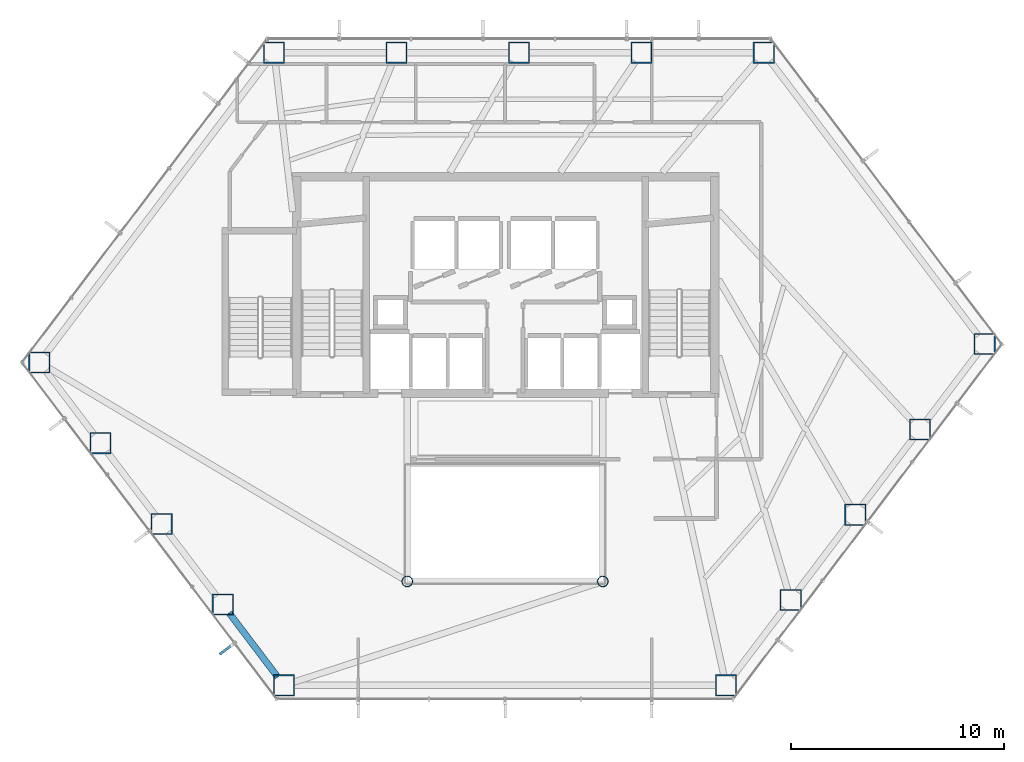
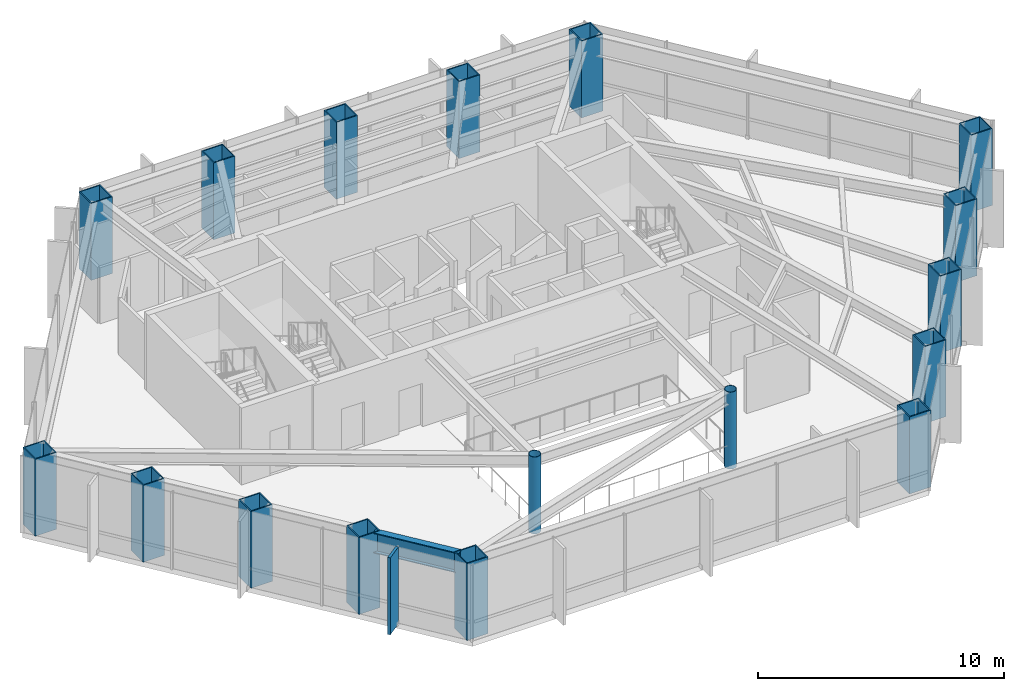
# One storey, part 1 of 25: 17 columns, 1 beam, 1 member, 1 element without a shape of its own.
"""IFC4 building model written with IfcOpenShell, lengths in metres."""

from ifc_helpers import new_model, si_unit, direction, frame, origin, origin_2d, place, context, subcontext, project, spatial, rectangle, hollow_rectangle, hollow_circle, i_section, extrude, material, layer, layer_set, material_profile, profile_set, type_object, element, aggregate, save


model = new_model("IFC4")

# Units and contexts
model_context = context("Model", 3, precision=1e-05, world=origin(), true_north=direction((0.0, 1.0)))
body_context = subcontext(model_context, "Body", "Model", "MODEL_VIEW")
ifc_project = project(units=[si_unit("LENGTHUNIT", "METRE"), si_unit("AREAUNIT", "SQUARE_METRE"), si_unit("VOLUMEUNIT", "CUBIC_METRE"), si_unit("PLANEANGLEUNIT", "RADIAN"), si_unit("MASSUNIT", "GRAM", prefix="KILO")], contexts=[model_context])

# Site, building, storey
site_placement = place(None, origin())
site = spatial("IfcSite", under=ifc_project, at=site_placement, CompositionType="ELEMENT")
building_placement = place(site_placement, origin())
building = spatial("IfcBuilding", under=site, at=building_placement, Name="Zarrinselat Tower", CompositionType="ELEMENT")
storey_placement = place(building_placement, frame((0.0, 0.0, 52.02001953125)))
storey = spatial("IfcBuildingStorey", under=building, at=storey_placement, Name="L12", CompositionType="ELEMENT", Elevation=52.02001953125)

# Columns
ifc_material_1 = material(Name="Steel S355J2", Category="steel")
ifc_material_profile_1 = material_profile(ifc_material_1, hollow_circle(Radius=0.25390625, WallThickness=0.02001953125, at=origin_2d()), Name="CHS 508x20")
ifc_profile_set_1 = profile_set([ifc_material_profile_1], Name="Steel S355J2")
column_type_1 = type_object("IfcColumnType", Name="COL-CHS508", PredefinedType="COLUMN", material=ifc_profile_set_1)
for number, where, z_axis, x_axis, name in (
    (1, (33.800048828125, 24.39990234375, 0.0), (0.0, 0.0, 1.0), (1.0, 0.0, 0.0), "L12 Atrium Corner Column 1"),
    (2, (43.0, 24.39990234375, 0.0), (0.0, 0.0, 1.0), (1.0, 0.0, 0.0), "L12 Atrium Corner Column 2"),
):
    element("IfcColumn", number, at=place(storey_placement, frame(where, z_axis=z_axis, x_axis=x_axis)), inside=storey, type_object=column_type_1, Name=name, PredefinedType="COLUMN", context=body_context, shape_type="SweptSolid", body=[
        extrude(hollow_circle(Radius=0.25390625, WallThickness=0.02001953125, at=origin_2d()), origin(), (0.0, 0.0, 1.0), 3.820068359375),
    ])
ifc_material_2 = material(Name="Steel S460M", Category="steel")
ifc_material_profile_2 = material_profile(ifc_material_2, hollow_rectangle(XDim=1.0, YDim=1.0, WallThickness=0.050048828125, at=origin_2d()), Name="SHS 1000x1000x50")
ifc_profile_set_2 = profile_set([ifc_material_profile_2], Name="Steel S460M")
column_type_2 = type_object("IfcColumnType", Name="COL-SHS1000", PredefinedType="COLUMN", material=ifc_profile_set_2)
for number, where, z_axis, x_axis, name in (
    (3, (50.57421875, 49.27783203125, 0.0), (0.0, 0.0, 1.0), (1.0, 0.0, 0.0), "L12 Framed-Tube Column T01"),
    (4, (44.814208984375, 49.27783203125, 0.0), (0.0, 0.0, 1.0), (1.0, 0.0, 0.0), "L12 Framed-Tube Column T02"),
    (5, (39.05419921875, 49.27783203125, 0.0), (0.0, 0.0, 1.0), (1.0, 0.0, 0.0), "L12 Framed-Tube Column T03"),
    (6, (33.29443359375, 49.27783203125, 0.0), (0.0, 0.0, 1.0), (1.0, 0.0, 0.0), "L12 Framed-Tube Column T04"),
    (7, (27.534423828125, 49.27783203125, 0.0), (0.0, 0.0, 1.0), (1.0, 0.0, 0.0), "L12 Framed-Tube Column T05"),
    (8, (16.492431640625, 34.7021484375, 0.0), (0.0, 0.0, 1.0), (1.0, 0.0, 0.0), "L12 Framed-Tube Column T06"),
    (9, (19.369384765625, 30.904541015625, 0.0), (0.0, 0.0, 1.0), (1.0, 0.0, 0.0), "L12 Framed-Tube Column T07"),
    (10, (22.246337890625, 27.10693359375, 0.0), (0.0, 0.0, 1.0), (1.0, 0.0, 0.0), "L12 Framed-Tube Column T08"),
    (11, (25.123291015625, 23.309326171875, 0.0), (0.0, 0.0, 1.0), (1.0, 0.0, 0.0), "L12 Framed-Tube Column T09"),
    (12, (28.00048828125, 19.51171875, 0.0), (0.0, 0.0, 1.0), (1.0, 0.0, 0.0), "L12 Framed-Tube Column T10"),
    (13, (48.799560546875, 19.51171875, 0.0), (0.0, 0.0, 1.0), (1.0, 0.0, 0.0), "L12 Framed-Tube Column T11"),
    (14, (51.840087890625, 23.525146484375, 0.0), (0.0, 0.0, 1.0), (1.0, 0.0, 0.0), "L12 Framed-Tube Column T12"),
    (15, (54.880615234375, 27.538818359375, 0.0), (0.0, 0.0, 1.0), (1.0, 0.0, 0.0), "L12 Framed-Tube Column T13"),
    (16, (57.92138671875, 31.552490234375, 0.0), (0.0, 0.0, 1.0), (1.0, 0.0, 0.0), "L12 Framed-Tube Column T14"),
    (17, (60.9619140625, 35.56591796875, 0.0), (0.0, 0.0, 1.0), (1.0, 0.0, 0.0), "L12 Framed-Tube Column T15"),
):
    element("IfcColumn", number, at=place(storey_placement, frame(where, z_axis=z_axis, x_axis=x_axis)), inside=storey, type_object=column_type_2, Name=name, PredefinedType="COLUMN", context=body_context, shape_type="SweptSolid", body=[
        extrude(hollow_rectangle(XDim=1.0, YDim=1.0, WallThickness=0.050048828125, at=origin_2d()), origin(), (0.0, 0.0, 1.0), 3.820068359375),
    ])

# Beam
ifc_material_3 = material(Name="Steel S460M", Category="steel")
ifc_material_profile_3 = material_profile(ifc_material_3, i_section(OverallWidth=0.302001953125, OverallDepth=1.008056640625, WebThickness=0.02099609375, FlangeThickness=0.0400390625, at=origin_2d()), Name="HEM 1000")
ifc_profile_set_3 = profile_set([ifc_material_profile_3], Name="Steel S460M")
beam_type = type_object("IfcBeamType", Name="BM-HEM1000", PredefinedType="BEAM", material=ifc_profile_set_3)
beam_placement = place(storey_placement, frame((25.418212890625, 22.92041015625, 3.31591796875), z_axis=(0.603839076561, -0.797106247384, 0.0), x_axis=(0.797106247384, 0.603839076561, 0.0)))
element("IfcBeam", 18, at=beam_placement, inside=storey, type_object=beam_type, Name="L12 Perimeter Spandrel Girder SP09", PredefinedType="BEAM", context=body_context, shape_type="SweptSolid", body=[
    extrude(i_section(OverallWidth=0.302001953125, OverallDepth=1.008056640625, WebThickness=0.02099609375, FlangeThickness=0.0400390625, at=origin_2d()), origin(), (0.0, 0.0, 1.0), 3.788330078125),
])

# Curtain wall, member
ifc_material_4 = material(Name="Extruded Aluminium Alloy EN AW-6063 T6", Category="aluminium")
ifc_layer = layer(ifc_material_4, 0.18505859375)
ifc_layer_set = layer_set([ifc_layer], Name="Extruded Aluminium Alloy EN AW-6063 T6")
curtain_wall_type = type_object("IfcCurtainWallType", Name="CWS-OFF", PredefinedType="NOTDEFINED", material=ifc_layer_set)
curtain_wall_placement = place(storey_placement, origin())
curtain_wall = element("IfcCurtainWall", 19, at=curtain_wall_placement, inside=storey, type_object=curtain_wall_type, Name="L12 Unitised Curtain Wall CW-L12-E03", PredefinedType="NOTDEFINED")
ifc_material_5 = material(Name="Honed Cream Travertine Stone", Category="masonry")
ifc_material_profile_4 = material_profile(ifc_material_5, rectangle(XDim=0.1201171875, YDim=0.85009765625, at=origin_2d()), Name="FIN 850x120")
ifc_profile_set_4 = profile_set([ifc_material_profile_4], Name="Honed Cream Travertine Stone")
member_type = type_object("IfcMemberType", Name="MEM-STONE-FIN", PredefinedType="USERDEFINED", material=ifc_profile_set_4)
member_placement = place(storey_placement, frame((25.310546875, 21.22412109375, 0.0), z_axis=(0.0, 0.0, 1.0), x_axis=(-0.603861563254, 0.797089212337, 0.0)))
member = element("IfcMember", 20, at=member_placement, type_object=member_type, Name="L12 Stone Shading Fin CW-L12-E03-05", ObjectType="FIN", PredefinedType="USERDEFINED", context=body_context, shape_type="SweptSolid", body=[
    extrude(rectangle(XDim=0.1201171875, YDim=0.85009765625, at=origin_2d()), origin(), (0.0, 0.0, 1.0), 3.820068359375),
])
aggregate(curtain_wall, [member])

save(model, "model.ifc")
